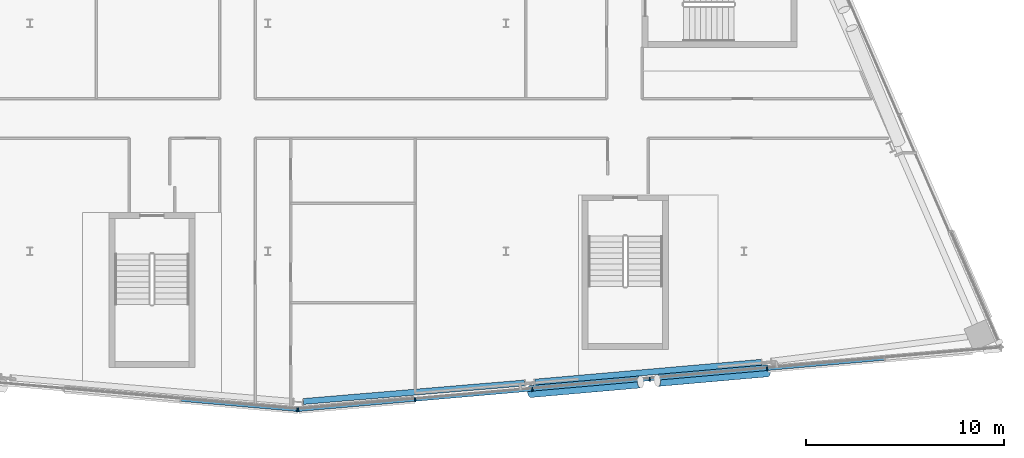
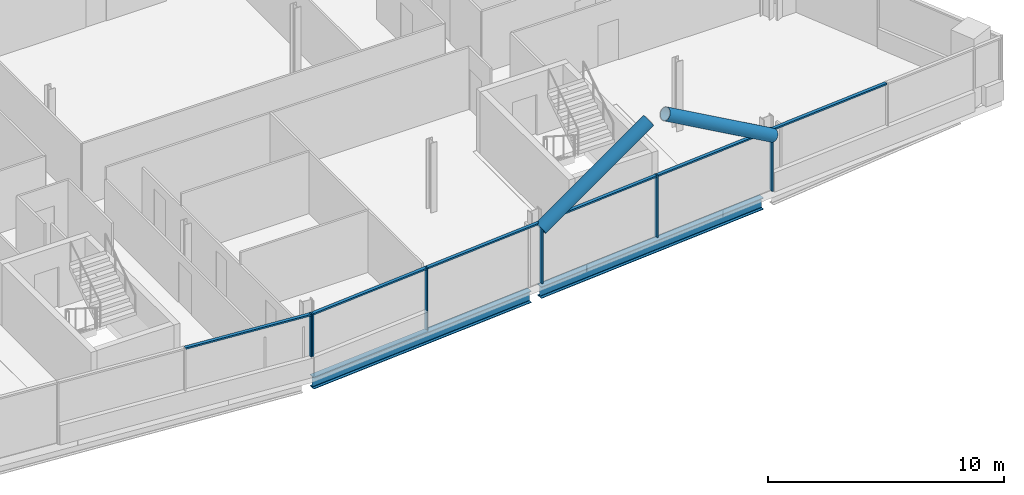
# One storey, part 8 of 27: 14 members, 2 beams, 2 elements without a shape of their own.
"""IFC4 building model written with IfcOpenShell, lengths in metres."""

from ifc_helpers import new_model, si_unit, direction, frame, origin, origin_2d, place, context, subcontext, project, spatial, rectangle, hollow_circle, i_section, extrude, material, material_profile, profile_set, type_object, element, aggregate, save


model = new_model("IFC4")

# Units and contexts
model_context = context("Model", 3, precision=1e-05, world=origin(), true_north=direction((0.0, 1.0)))
body_context = subcontext(model_context, "Body", "Model", "MODEL_VIEW")
ifc_project = project(units=[si_unit("LENGTHUNIT", "METRE"), si_unit("AREAUNIT", "SQUARE_METRE"), si_unit("VOLUMEUNIT", "CUBIC_METRE"), si_unit("PLANEANGLEUNIT", "RADIAN"), si_unit("MASSUNIT", "GRAM", prefix="KILO")], contexts=[model_context])

# Site, building, storey
site_placement = place(None, origin())
site = spatial("IfcSite", under=ifc_project, at=site_placement, CompositionType="ELEMENT")
building_placement = place(site_placement, origin())
building = spatial("IfcBuilding", under=site, at=building_placement, Name="Wharfspan Tower", CompositionType="ELEMENT")
storey_placement = place(building_placement, frame((0.0, 0.0, 210.699951)))
storey = spatial("IfcBuildingStorey", under=building, at=storey_placement, Name="L52", CompositionType="ELEMENT", Elevation=210.699951)

# Beams
ifc_material_1 = material(Name="Steel S355J2", Category="steel")
ifc_material_profile_1 = material_profile(ifc_material_1, i_section(OverallWidth=0.300049, OverallDepth=0.600098, WebThickness=0.015381, FlangeThickness=0.030029, FilletRadius=0.0271, at=origin_2d()))
ifc_profile_set_1 = profile_set([ifc_material_profile_1], Name="Steel S355J2")
beam_type = type_object("IfcBeamType", Name="Edge beam HEB 600", PredefinedType="SPANDREL", material=ifc_profile_set_1)
beam_1_placement = place(storey_placement, frame((49.783691, 3.923828, -0.699951), z_axis=(0.996517, 0.083395, 0.0), x_axis=(-0.083395, 0.996517, 0.0)))
element("IfcBeam", 1, at=beam_1_placement, inside=storey, type_object=beam_type, Name="Edge beam S2 L52 PS1.3 to PS2.1", PredefinedType="SPANDREL", context=body_context, shape_type="SweptSolid", body=[
    extrude(i_section(OverallWidth=0.300049, OverallDepth=0.600098, WebThickness=0.015381, FlangeThickness=0.030029, FilletRadius=0.0271, at=origin_2d()), origin(), (0.0, 0.0, 1.0), 11.200684),
])
beam_2_placement = place(storey_placement, frame((61.459473, 4.901855, -0.699951), z_axis=(0.996195, 0.087157, 0.0), x_axis=(-0.087157, 0.996195, 0.0)))
element("IfcBeam", 2, at=beam_2_placement, inside=storey, type_object=beam_type, Name="Edge beam S2 L52 PS2.1 to PS2.2", PredefinedType="SPANDREL", context=body_context, shape_type="SweptSolid", body=[
    extrude(i_section(OverallWidth=0.300049, OverallDepth=0.600098, WebThickness=0.015381, FlangeThickness=0.030029, FilletRadius=0.0271, at=origin_2d()), origin(), (0.0, 0.0, 1.0), 11.462402),
])

# Curtain wall, member
ifc_material_2 = material(Name="Aluminium 6063-T6", Category="aluminium")
curtain_wall_type = type_object("IfcCurtainWallType", Name="CURTAIN WALL FACETED FRONT", PredefinedType="NOTDEFINED", material=ifc_material_2)
curtain_wall_1_placement = place(storey_placement, origin())
curtain_wall_1 = element("IfcCurtainWall", 3, at=curtain_wall_1_placement, inside=storey, type_object=curtain_wall_type, Name="Curtain wall S1", PredefinedType="NOTDEFINED")
ifc_material_profile_2 = material_profile(ifc_material_2, rectangle(XDim=0.199951, YDim=0.060059, at=origin_2d()))
ifc_profile_set_2 = profile_set([ifc_material_profile_2], Name="Aluminium 6063-T6")
member_type_1 = type_object("IfcMemberType", Name="MULLION FACETED FRONT 60x200", PredefinedType="MULLION", material=ifc_profile_set_2)
member_1_placement = place(storey_placement, frame((49.470215, 3.496826, 1.0), z_axis=(0.0, 0.0, 1.0), x_axis=(0.087156, 0.996197, 0.0)))
member_1 = element("IfcMember", 4, at=member_1_placement, type_object=member_type_1, Name="Curtain wall S1 mullion 6", PredefinedType="MULLION", context=body_context, shape_type="SweptSolid", body=[
    extrude(rectangle(XDim=0.199951, YDim=0.060059, at=origin_2d()), origin(), (0.0, 0.0, 1.0), 2.199951),
])

# Curtain wall, members
curtain_wall_2_placement = place(storey_placement, origin())
curtain_wall_2 = element("IfcCurtainWall", 5, at=curtain_wall_2_placement, inside=storey, type_object=curtain_wall_type, Name="Curtain wall S2", PredefinedType="NOTDEFINED")
member_2_placement = place(storey_placement, frame((49.529785, 3.496826, 1.0), z_axis=(0.0, 0.0, 1.0), x_axis=(-0.087156, 0.996197, 0.0)))
member_2 = element("IfcMember", 6, at=member_2_placement, type_object=member_type_1, Name="Curtain wall S2 mullion 1", PredefinedType="MULLION", context=body_context, shape_type="SweptSolid", body=[
    extrude(rectangle(XDim=0.199951, YDim=0.060059, at=origin_2d()), origin(), (0.0, 0.0, 1.0), 2.199951),
])
member_3_placement = place(storey_placement, frame((55.416748, 4.011719, 0.0), z_axis=(0.0, 0.0, 1.0), x_axis=(-0.087156, 0.996197, 0.0)))
member_3 = element("IfcMember", 7, at=member_3_placement, type_object=member_type_1, Name="Curtain wall S2 mullion 2", PredefinedType="MULLION", context=body_context, shape_type="SweptSolid", body=[
    extrude(rectangle(XDim=0.199951, YDim=0.060059, at=origin_2d()), origin(), (0.0, 0.0, 1.0), 3.199951),
])
member_4_placement = place(storey_placement, frame((61.333252, 4.529541, 0.0), z_axis=(0.0, 0.0, 1.0), x_axis=(-0.087156, 0.996197, 0.0)))
member_4 = element("IfcMember", 8, at=member_4_placement, type_object=member_type_1, Name="Curtain wall S2 mullion 3", PredefinedType="MULLION", context=body_context, shape_type="SweptSolid", body=[
    extrude(rectangle(XDim=0.199951, YDim=0.060059, at=origin_2d()), origin(), (0.0, 0.0, 1.0), 3.199951),
])
member_5_placement = place(storey_placement, frame((67.25, 5.047119, 0.0), z_axis=(0.0, 0.0, 1.0), x_axis=(-0.087156, 0.996197, 0.0)))
member_5 = element("IfcMember", 9, at=member_5_placement, type_object=member_type_1, Name="Curtain wall S2 mullion 4", PredefinedType="MULLION", context=body_context, shape_type="SweptSolid", body=[
    extrude(rectangle(XDim=0.199951, YDim=0.060059, at=origin_2d()), origin(), (0.0, 0.0, 1.0), 3.199951),
])
member_6_placement = place(storey_placement, frame((73.166748, 5.564697, 0.0), z_axis=(0.0, 0.0, 1.0), x_axis=(-0.087156, 0.996197, 0.0)))
member_6 = element("IfcMember", 10, at=member_6_placement, type_object=member_type_1, Name="Curtain wall S2 mullion 5", PredefinedType="MULLION", context=body_context, shape_type="SweptSolid", body=[
    extrude(rectangle(XDim=0.199951, YDim=0.060059, at=origin_2d()), origin(), (0.0, 0.0, 1.0), 3.199951),
])

# Members
ifc_material_3 = material(Name="Steel S460NH", Category="steel")
ifc_material_profile_3 = material_profile(ifc_material_3, hollow_circle(Radius=0.304932, WallThickness=0.024902, at=origin_2d()))
ifc_profile_set_3 = profile_set([ifc_material_profile_3], Name="Steel S460NH")
member_type_2 = type_object("IfcMemberType", Name="Mega brace CHS 610x25", PredefinedType="BRACE", material=ifc_profile_set_3)
for number, where, z_axis, x_axis, name in (
    (11, (61.241943, 4.426025, 2.900146), (0.853829, 0.074698, 0.515166), (-0.087155, 0.996197, 3e-06), "Mega brace S2 L53 part 1"),
    (12, (73.175049, 5.469971, 2.900146), (-0.853829, -0.074698, 0.515166), (0.087155, -0.996197, 3e-06), "Mega brace S2 L53 part 3"),
):
    element("IfcMember", number, at=place(storey_placement, frame(where, z_axis=z_axis, x_axis=x_axis)), inside=storey, type_object=member_type_2, Name=name, PredefinedType="BRACE", context=body_context, shape_type="SweptSolid", body=[
        extrude(hollow_circle(Radius=0.304932, WallThickness=0.024902, at=origin_2d()), origin(), (0.0, 0.0, 1.0), 6.484375),
    ])

# Member
ifc_material_profile_4 = material_profile(ifc_material_2, rectangle(XDim=0.159912, YDim=0.080078, at=origin_2d()))
ifc_profile_set_4 = profile_set([ifc_material_profile_4], Name="Aluminium 6063-T6")
member_type_3 = type_object("IfcMemberType", Name="TRANSOM FACETED FRONT 80x160", PredefinedType="USERDEFINED", material=ifc_profile_set_4)
member_7_placement = place(storey_placement, frame((43.629883, 4.007812, 3.160156), z_axis=(0.996192, -0.087191, 0.0), x_axis=(0.087191, 0.996192, 0.0)))
member_7 = element("IfcMember", 13, at=member_7_placement, type_object=member_type_3, Name="Curtain wall S1 transom 5", ObjectType="TRANSOM", PredefinedType="USERDEFINED", context=body_context, shape_type="SweptSolid", body=[
    extrude(rectangle(XDim=0.159912, YDim=0.080078, at=origin_2d()), origin(), (0.0, 0.0, 1.0), 5.83252),
])

aggregate(curtain_wall_1, [member_1, member_7])

member_8_placement = place(storey_placement, frame((49.559814, 3.499268, 3.160156), z_axis=(0.996191, 0.087193, 0.0), x_axis=(-0.087193, 0.996191, 0.0)))
member_8 = element("IfcMember", 14, at=member_8_placement, type_object=member_type_3, Name="Curtain wall S2 transom 1", ObjectType="TRANSOM", PredefinedType="USERDEFINED", context=body_context, shape_type="SweptSolid", body=[
    extrude(rectangle(XDim=0.159912, YDim=0.080078, at=origin_2d()), origin(), (0.0, 0.0, 1.0), 5.849121),
])

member_9_placement = place(storey_placement, frame((55.446533, 4.014404, 3.160156), z_axis=(0.996194, 0.087162, 0.0), x_axis=(-0.087162, 0.996194, 0.0)))
member_9 = element("IfcMember", 15, at=member_9_placement, type_object=member_type_3, Name="Curtain wall S2 transom 2", ObjectType="TRANSOM", PredefinedType="USERDEFINED", context=body_context, shape_type="SweptSolid", body=[
    extrude(rectangle(XDim=0.159912, YDim=0.080078, at=origin_2d()), origin(), (0.0, 0.0, 1.0), 5.879395),
])

member_10_placement = place(storey_placement, frame((61.363281, 4.531982, 3.160156), z_axis=(0.996194, 0.087162, 0.0), x_axis=(-0.087162, 0.996194, 0.0)))
member_10 = element("IfcMember", 16, at=member_10_placement, type_object=member_type_3, Name="Curtain wall S2 transom 3", ObjectType="TRANSOM", PredefinedType="USERDEFINED", context=body_context, shape_type="SweptSolid", body=[
    extrude(rectangle(XDim=0.159912, YDim=0.080078, at=origin_2d()), origin(), (0.0, 0.0, 1.0), 5.879395),
])

member_11_placement = place(storey_placement, frame((67.279785, 5.049805, 3.160156), z_axis=(0.996198, 0.087121, 0.0), x_axis=(-0.087121, 0.996198, 0.0)))
member_11 = element("IfcMember", 17, at=member_11_placement, type_object=member_type_3, Name="Curtain wall S2 transom 4", ObjectType="TRANSOM", PredefinedType="USERDEFINED", context=body_context, shape_type="SweptSolid", body=[
    extrude(rectangle(XDim=0.159912, YDim=0.080078, at=origin_2d()), origin(), (0.0, 0.0, 1.0), 5.879395),
])

member_12_placement = place(storey_placement, frame((73.196533, 5.567383, 3.160156), z_axis=(0.996194, 0.087162, 0.0), x_axis=(-0.087162, 0.996194, 0.0)))
member_12 = element("IfcMember", 18, at=member_12_placement, type_object=member_type_3, Name="Curtain wall S2 transom 5", ObjectType="TRANSOM", PredefinedType="USERDEFINED", context=body_context, shape_type="SweptSolid", body=[
    extrude(rectangle(XDim=0.159912, YDim=0.080078, at=origin_2d()), origin(), (0.0, 0.0, 1.0), 5.879395),
])

aggregate(curtain_wall_2, [member_2, member_3, member_4, member_5, member_6, member_8, member_9, member_10, member_11, member_12])

save(model, "model.ifc")
